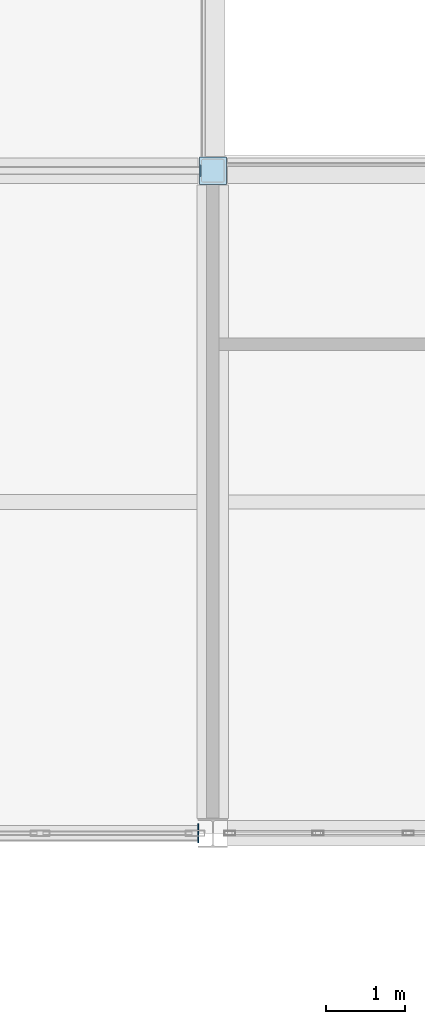
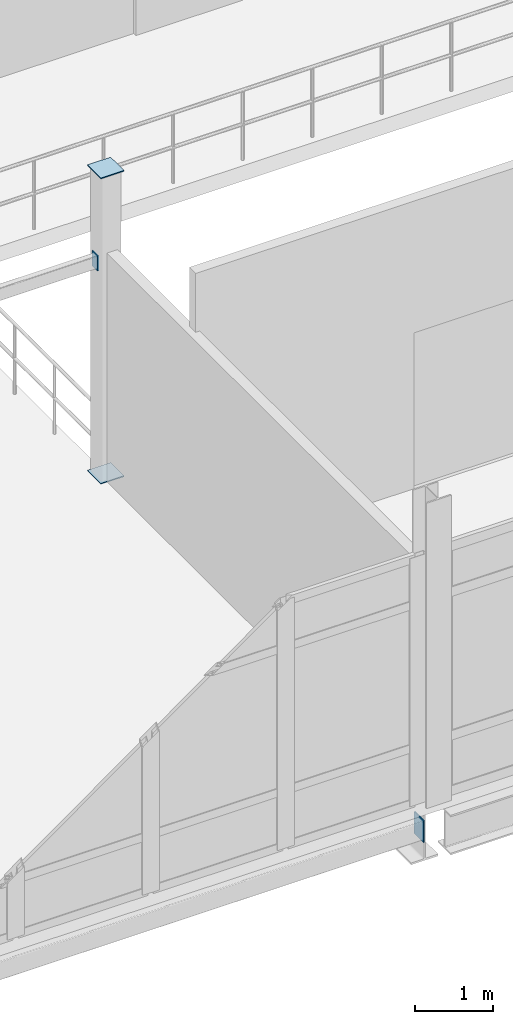
# One storey, part 36 of 72: 4 plates.
"""IFC4 building model written with IfcOpenShell, lengths in metres."""

from ifc_helpers import new_model, si_unit, direction, frame, origin, origin_2d, place, context, subcontext, project, spatial, rectangle, extrude, material, layer, layer_set, type_object, element, save


model = new_model("IFC4")

# Units and contexts
model_context = context("Model", 3, precision=1e-05, world=origin(), true_north=direction((0.0, 1.0)))
body_context = subcontext(model_context, "Body", "Model", "MODEL_VIEW")
ifc_project = project(units=[si_unit("LENGTHUNIT", "METRE"), si_unit("AREAUNIT", "SQUARE_METRE"), si_unit("VOLUMEUNIT", "CUBIC_METRE"), si_unit("PLANEANGLEUNIT", "RADIAN"), si_unit("MASSUNIT", "GRAM", prefix="KILO")], contexts=[model_context])

# Site, building, storey
site_placement = place(None, origin())
site = spatial("IfcSite", under=ifc_project, at=site_placement, CompositionType="ELEMENT")
building_placement = place(site_placement, origin())
building = spatial("IfcBuilding", under=site, at=building_placement, Name="Calvrana Isthmian Art Gallery", CompositionType="ELEMENT")
storey_placement = place(building_placement, frame((0.0, 0.0, 15.0)))
storey = spatial("IfcBuildingStorey", under=building, at=storey_placement, Name="L03", CompositionType="ELEMENT", Elevation=15.0)

# Plates
ifc_material = material(Name="Steel ASTM A572 Gr 50", Category="steel")
ifc_layer = layer(ifc_material, 0.01611328125, Name="Steel ASTM A572 Gr 50")
ifc_layer_set = layer_set([ifc_layer], Name="Steel ASTM A572 Gr 50")
plate_type = type_object("IfcPlateType", Name="PL-CAP-16", PredefinedType="SHEET", material=ifc_layer_set)
for number, where, z_axis, x_axis, name in (
    (1, (46.800048828125, 30.0, -0.008056640625), (0.0, 0.0, 1.0), (1.0, 0.0, 0.0), "Hollow section end cap plate 087"),
    (2, (46.800048828125, 30.0, 4.7919921875), (0.0, 0.0, 1.0), (1.0, 0.0, 0.0), "Hollow section end cap plate 088"),
):
    element("IfcPlate", number, at=place(storey_placement, frame(where, z_axis=z_axis, x_axis=x_axis)), inside=storey, type_object=plate_type, Name=name, PredefinedType="SHEET", context=body_context, shape_type="SweptSolid", body=[
        extrude(rectangle(XDim=0.3447265625, YDim=0.3447265625, at=origin_2d()), origin(), (0.0, 0.0, 1.0), 0.01611328125),
    ])
plate_1_placement = place(storey_placement, frame((46.613525390625, 21.60009765625, -0.56982421875), z_axis=(0.0, 0.0, 1.0), x_axis=(1.0, 0.0, 0.0)))
element("IfcPlate", 3, at=plate_1_placement, inside=storey, type_object=plate_type, Name="Hollow section end cap plate 474", PredefinedType="SHEET", context=body_context, shape_type="SweptSolid", body=[
    extrude(rectangle(XDim=0.01611328125, YDim=0.2431640625, at=origin_2d()), origin(), (0.0, 0.0, 1.0), 0.3447265625),
])
plate_2_placement = place(storey_placement, frame((46.647705078125, 30.0, 3.2783203125), z_axis=(0.0, 0.0, 1.0), x_axis=(1.0, 0.0, 0.0)))
element("IfcPlate", 4, at=plate_2_placement, inside=storey, type_object=plate_type, Name="Hollow section end cap plate 537", PredefinedType="SHEET", context=body_context, shape_type="SweptSolid", body=[
    extrude(rectangle(XDim=0.01611328125, YDim=0.1416015625, at=origin_2d()), origin(), (0.0, 0.0, 1.0), 0.2431640625),
])

save(model, "model.ifc")
